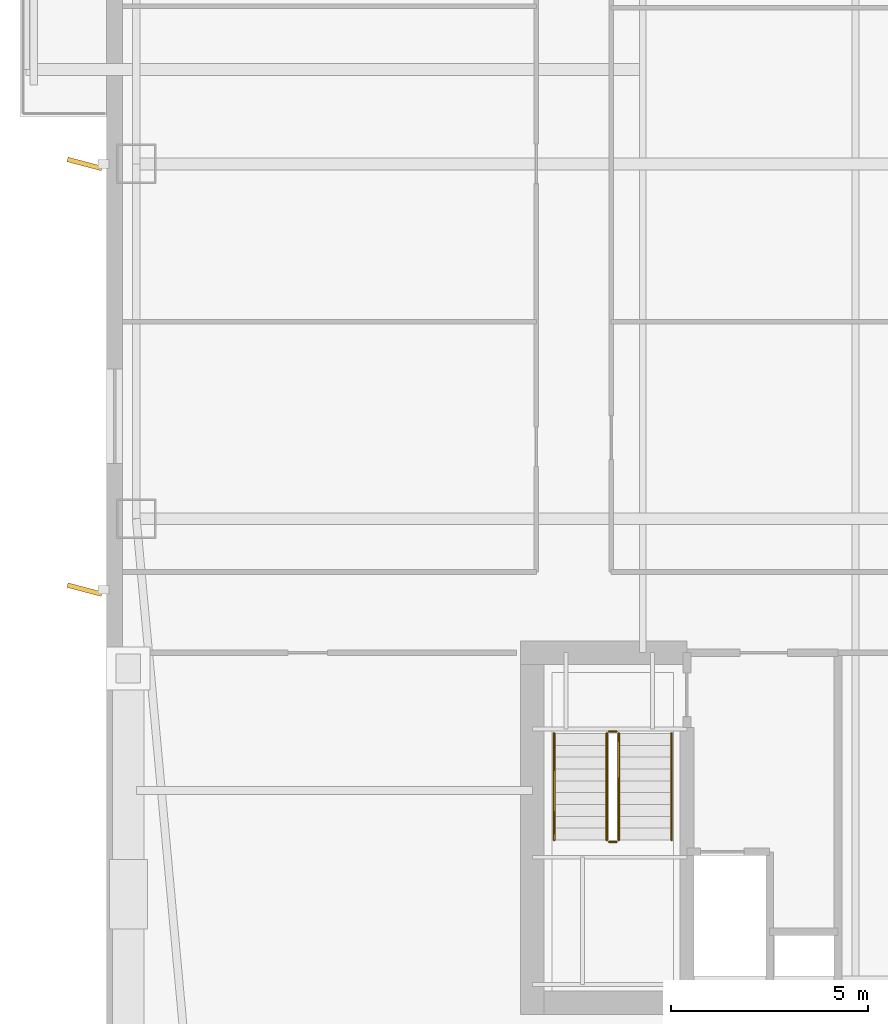
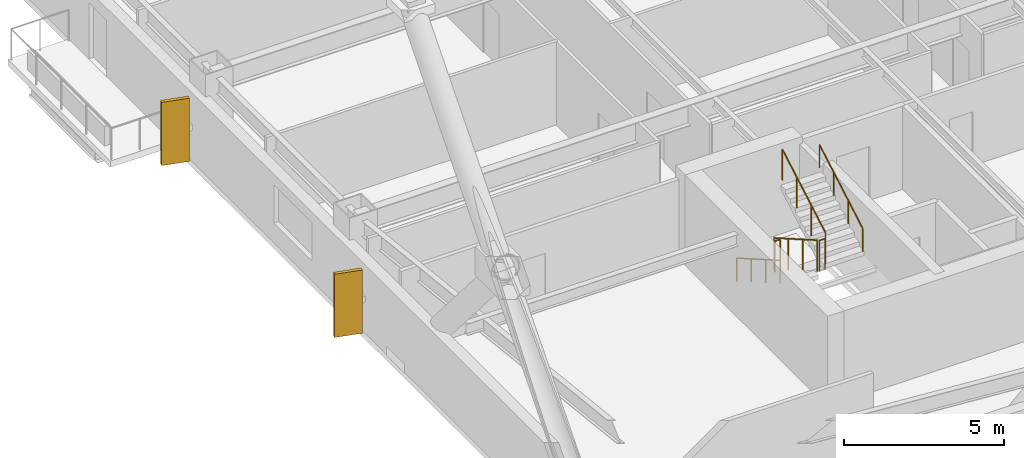
# One storey, part 20 of 24: 6 railings, 2 shading devices.
"""IFC4 building model written with IfcOpenShell, lengths in metres."""

from ifc_helpers import new_model, si_unit, direction, frame, origin, origin_2d, place, context, subcontext, project, spatial, rectangle, circle, extrude, material, layer, layer_set, type_object, element, save


model = new_model("IFC4")

# Units and contexts
model_context = context("Model", 3, precision=1e-05, world=origin(), true_north=direction((0.0, 1.0)))
body_context = subcontext(model_context, "Body", "Model", "MODEL_VIEW")
ifc_project = project(units=[si_unit("LENGTHUNIT", "METRE"), si_unit("AREAUNIT", "SQUARE_METRE"), si_unit("VOLUMEUNIT", "CUBIC_METRE"), si_unit("PLANEANGLEUNIT", "RADIAN"), si_unit("MASSUNIT", "GRAM", prefix="KILO")], contexts=[model_context])

# Site, building, storey
site_placement = place(None, origin())
site = spatial("IfcSite", under=ifc_project, at=site_placement, CompositionType="ELEMENT")
building_placement = place(site_placement, origin())
building = spatial("IfcBuilding", under=site, at=building_placement, Name="Qiaolan Cultural Towers", CompositionType="ELEMENT")
storey_placement = place(building_placement, frame((0.0, 0.0, 120.75)))
storey = spatial("IfcBuildingStorey", under=building, at=storey_placement, Name="L31", CompositionType="ELEMENT", Elevation=120.75)

# Railings
ifc_material_1 = material(Name="Galvanized Painted Steel Stair Guardrail", Category="steel")
railing_type_1 = type_object("IfcRailingType", Name="RL-STAIR-GRD", PredefinedType="GUARDRAIL", material=ifc_material_1)
railing_1_placement = place(storey_placement, frame((23.68994140625, 19.550048828125, 0.172607421875)))
element("IfcRailing", 1, at=railing_1_placement, inside=storey, type_object=railing_type_1, Name="L31 ST-W1 stair guard 1", PredefinedType="GUARDRAIL", context=body_context, shape_type="SweptSolid", body=[
    extrude(circle(Radius=0.02392578125, at=origin_2d()), frame((0.0, 0.0, 1.17578125), z_axis=(0.0, -0.866903762492, 0.498475542607), x_axis=(1.0, 0.0, 0.0)), (0.0, 0.0, 1.0), 3.114501953125),
    extrude(circle(Radius=0.02099609375, at=origin_2d()), origin(), (0.0, 0.0, 1.0), 1.15185546875),
    extrude(circle(Radius=0.02099609375, at=origin_2d()), frame((0.0, -0.89990234375, 0.517578125)), (0.0, 0.0, 1.0), 1.15185546875),
    extrude(circle(Radius=0.02099609375, at=origin_2d()), frame((0.0, -1.800048828125, 1.034912109375)), (0.0, 0.0, 1.0), 1.15185546875),
    extrude(circle(Radius=0.02099609375, at=origin_2d()), frame((0.0, -2.699951171875, 1.552490234375)), (0.0, 0.0, 1.0), 1.15185546875),
])
railing_2_placement = place(storey_placement, frame((23.739990234375, 16.800048828125, 1.72509765625)))
element("IfcRailing", 2, at=railing_2_placement, inside=storey, type_object=railing_type_1, Name="L31 ST-W1 stair guard 2", PredefinedType="GUARDRAIL", context=body_context, shape_type="SweptSolid", body=[
    extrude(circle(Radius=0.02392578125, at=origin_2d()), frame((0.0, 0.0, 1.17578125), z_axis=(1.0, 0.0, 0.0), x_axis=(0.0, 1.0, 0.0)), (0.0, 0.0, 1.0), 0.199951171875),
    extrude(circle(Radius=0.02099609375, at=origin_2d()), origin(), (0.0, 0.0, 1.0), 1.15185546875),
    extrude(circle(Radius=0.02099609375, at=origin_2d()), frame((0.199951171875, 0.0, 0.0)), (0.0, 0.0, 1.0), 1.15185546875),
])
railing_3_placement = place(storey_placement, frame((23.989990234375, 16.85009765625, 1.8974609375)))
element("IfcRailing", 3, at=railing_3_placement, inside=storey, type_object=railing_type_1, Name="L31 ST-W1 stair guard 3", PredefinedType="GUARDRAIL", context=body_context, shape_type="SweptSolid", body=[
    extrude(circle(Radius=0.02392578125, at=origin_2d()), frame((0.0, 0.0, 1.17578125), z_axis=(0.0, 0.866903762492, 0.498475542607), x_axis=(-1.0, 0.0, 0.0)), (0.0, 0.0, 1.0), 3.114501953125),
    extrude(circle(Radius=0.02099609375, at=origin_2d()), origin(), (0.0, 0.0, 1.0), 1.15185546875),
    extrude(circle(Radius=0.02099609375, at=origin_2d()), frame((0.0, 0.89990234375, 0.517578125)), (0.0, 0.0, 1.0), 1.15185546875),
    extrude(circle(Radius=0.02099609375, at=origin_2d()), frame((0.0, 1.800048828125, 1.034912109375)), (0.0, 0.0, 1.0), 1.15185546875),
    extrude(circle(Radius=0.02099609375, at=origin_2d()), frame((0.0, 2.699951171875, 1.552490234375)), (0.0, 0.0, 1.0), 1.15185546875),
])
railing_4_placement = place(storey_placement, frame((23.739990234375, 19.60009765625, 0.0)))
element("IfcRailing", 4, at=railing_4_placement, inside=storey, type_object=railing_type_1, Name="L31 ST-W1 stair guard 4", PredefinedType="GUARDRAIL", context=body_context, shape_type="SweptSolid", body=[
    extrude(circle(Radius=0.02392578125, at=origin_2d()), frame((0.0, 0.0, 1.17578125), z_axis=(1.0, 0.0, 0.0), x_axis=(0.0, 1.0, 0.0)), (0.0, 0.0, 1.0), 0.199951171875),
    extrude(circle(Radius=0.02099609375, at=origin_2d()), origin(), (0.0, 0.0, 1.0), 1.15185546875),
    extrude(circle(Radius=0.02099609375, at=origin_2d()), frame((0.199951171875, 0.0, 0.0)), (0.0, 0.0, 1.0), 1.15185546875),
])
ifc_material_2 = material(Name="Stainless Steel S30408 Tubular Handrail", Category="steel")
railing_type_2 = type_object("IfcRailingType", Name="RL-STAIR-HR", PredefinedType="HANDRAIL", material=ifc_material_2)
railing_5_placement = place(storey_placement, frame((22.35009765625, 19.550048828125, 0.172607421875)))
element("IfcRailing", 5, at=railing_5_placement, inside=storey, type_object=railing_type_2, Name="L31 ST-W1 stair handrail 1", PredefinedType="HANDRAIL", context=body_context, shape_type="SweptSolid", body=[
    extrude(circle(Radius=0.02392578125, at=origin_2d()), frame((0.0, 0.0, 0.8759765625), z_axis=(0.0, -0.866903762492, 0.498475542607), x_axis=(1.0, 0.0, 0.0)), (0.0, 0.0, 1.0), 3.114501953125),
    extrude(circle(Radius=0.02099609375, at=origin_2d()), origin(), (0.0, 0.0, 1.0), 0.851806640625),
    extrude(circle(Radius=0.02099609375, at=origin_2d()), frame((0.0, -0.89990234375, 0.517578125)), (0.0, 0.0, 1.0), 0.851806640625),
    extrude(circle(Radius=0.02099609375, at=origin_2d()), frame((0.0, -1.800048828125, 1.034912109375)), (0.0, 0.0, 1.0), 0.851806640625),
    extrude(circle(Radius=0.02099609375, at=origin_2d()), frame((0.0, -2.699951171875, 1.552490234375)), (0.0, 0.0, 1.0), 0.851806640625),
])
railing_6_placement = place(storey_placement, frame((25.330078125, 16.85009765625, 1.8974609375)))
element("IfcRailing", 6, at=railing_6_placement, inside=storey, type_object=railing_type_2, Name="L31 ST-W1 stair handrail 2", PredefinedType="HANDRAIL", context=body_context, shape_type="SweptSolid", body=[
    extrude(circle(Radius=0.02392578125, at=origin_2d()), frame((0.0, 0.0, 0.8759765625), z_axis=(0.0, 0.866903762492, 0.498475542607), x_axis=(-1.0, 0.0, 0.0)), (0.0, 0.0, 1.0), 3.114501953125),
    extrude(circle(Radius=0.02099609375, at=origin_2d()), origin(), (0.0, 0.0, 1.0), 0.851806640625),
    extrude(circle(Radius=0.02099609375, at=origin_2d()), frame((0.0, 0.89990234375, 0.517578125)), (0.0, 0.0, 1.0), 0.851806640625),
    extrude(circle(Radius=0.02099609375, at=origin_2d()), frame((0.0, 1.800048828125, 1.034912109375)), (0.0, 0.0, 1.0), 0.851806640625),
    extrude(circle(Radius=0.02099609375, at=origin_2d()), frame((0.0, 2.699951171875, 1.552490234375)), (0.0, 0.0, 1.0), 0.851806640625),
])

# Shading devices
ifc_material_3 = material(Name="Pierced Warm Terracotta Acoustic Fin", Category="masonry")
ifc_layer = layer(ifc_material_3, 0.1201171875)
ifc_layer_set = layer_set([ifc_layer], Name="Pierced Warm Terracotta Acoustic Fin")
shading_device_type = type_object("IfcShadingDeviceType", Name="SHD-FIN-PIERCED", PredefinedType="USERDEFINED", material=ifc_layer_set)
for number, where, z_axis, x_axis, name in (
    (7, (10.43994140625, 23.199951171875, 0.10009765625), (0.0, 0.0, 1.0), (0.966947591282, -0.254975206077, 0.0), "L31 T1 Expressive Precast Vertical Fin W1"),
    (8, (10.43994140625, 34.0, 0.10009765625), (0.0, 0.0, 1.0), (0.966947591282, -0.254975206077, 0.0), "L31 T1 Expressive Precast Vertical Fin W2"),
):
    element("IfcShadingDevice", number, at=place(storey_placement, frame(where, z_axis=z_axis, x_axis=x_axis)), inside=storey, type_object=shading_device_type, Name=name, ObjectType="FIN", PredefinedType="USERDEFINED", context=body_context, shape_type="SweptSolid", body=[
        extrude(rectangle(XDim=0.89990234375, YDim=0.1201171875, at=origin_2d()), origin(), (0.0, 0.0, 1.0), 2.409912109375),
    ])

save(model, "model.ifc")
